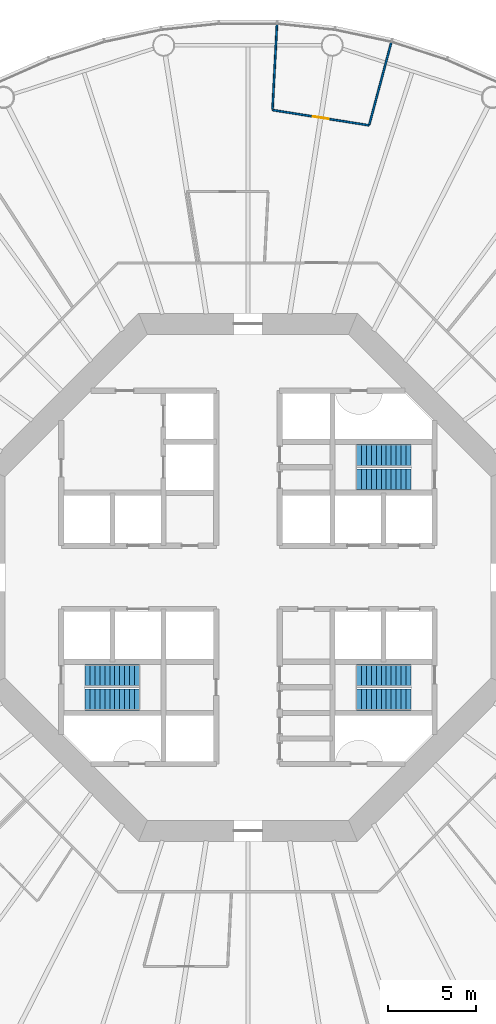
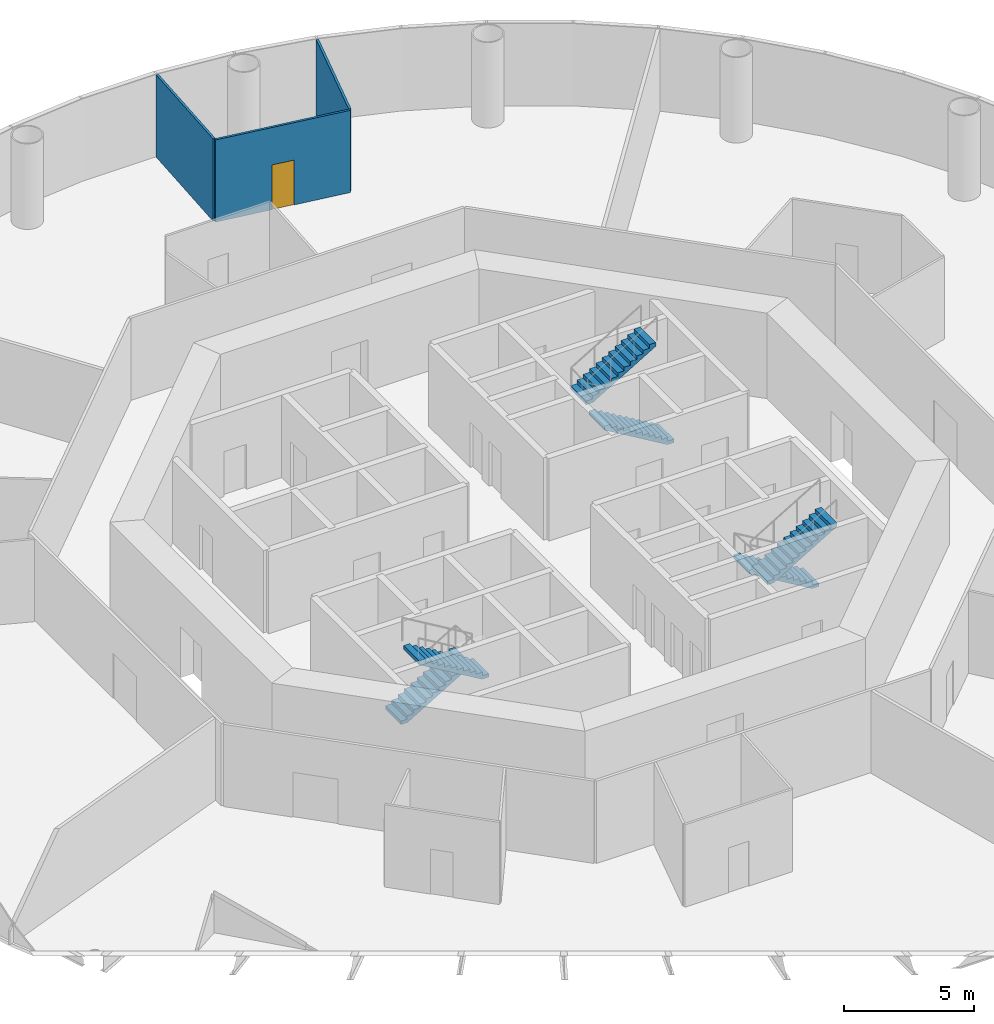
# One storey, part 6 of 13: 6 stair flights, 3 walls, 1 door, 1 opening, 3 elements without a shape of their own.
"""IFC4 building model written with IfcOpenShell, lengths in metres."""

from ifc_helpers import new_model, si_unit, direction, frame, frame_2d, origin, place, context, subcontext, project, spatial, polyline, rectangle, outline, extrude, material, layer, layer_set, type_object, element, fill, aggregate, save


model = new_model("IFC4")

# Units and contexts
model_context = context("Model", 3, precision=1e-05, world=origin(), true_north=direction((0.0, 1.0)))
body_context = subcontext(model_context, "Body", "Model", "MODEL_VIEW")
ifc_project = project(units=[si_unit("LENGTHUNIT", "METRE"), si_unit("AREAUNIT", "SQUARE_METRE"), si_unit("VOLUMEUNIT", "CUBIC_METRE"), si_unit("PLANEANGLEUNIT", "RADIAN"), si_unit("MASSUNIT", "GRAM", prefix="KILO")], contexts=[model_context])

# Site, building, storey
site_placement = place(None, origin())
site = spatial("IfcSite", under=ifc_project, at=site_placement, CompositionType="ELEMENT")
building_placement = place(site_placement, origin())
building = spatial("IfcBuilding", under=site, at=building_placement, Name="Entoto Ring Tower", CompositionType="ELEMENT")
storey_placement = place(building_placement, frame((0.0, 0.0, 120.0)))
storey = spatial("IfcBuildingStorey", under=building, at=storey_placement, Name="L27", CompositionType="ELEMENT", Elevation=120.0)

# Wall, opening, door
ifc_material_1 = material(Name="Plasterboard on steel studs", Category="steel")
ifc_layer = layer(ifc_material_1, 0.10009765625)
ifc_layer_set = layer_set([ifc_layer], Name="Plasterboard on steel studs")
wall_type = type_object("IfcWallType", Name="Partition 100 mm plasterboard on steel studs", PredefinedType="PARTITIONING", material=ifc_layer_set)
wall_1_placement = place(storey_placement, frame((96.87939453125, 105.67431640625, 0.0), z_axis=(0.0, 0.0, 1.0), x_axis=(-0.987684825381, 0.156456657615, 0.0)))
wall_1 = element("IfcWall", 1, at=wall_1_placement, inside=storey, type_object=wall_type, Name="partition-L27-017", PredefinedType="PARTITIONING", context=body_context, shape_type="SweptSolid", body=[
    extrude(rectangle(XDim=5.556640625, YDim=0.10009765625, at=frame_2d((2.7783203125, 0.0))), origin(), (0.0, 0.0, 1.0), 3.85009765625),
])
opening_placement = place(wall_1_placement, frame((2.328369140625, 0.0, 0.0)))
opening = element("IfcOpeningElement", 2, at=opening_placement, cuts=wall_1, Name="Opening A11-D06", PredefinedType="OPENING", context=body_context, shape_type="SweptSolid", body=[
    extrude(rectangle(XDim=0.89990234375, YDim=2.10009765625, at=frame_2d((0.449951171875, 1.050048828125))), frame((0.0, 0.06005859375, 0.0), z_axis=(0.0, -1.0, 0.0), x_axis=(1.0, 0.0, 0.0)), (0.0, 0.0, 1.0), 0.1201171875),
])
ifc_material_2 = material(Name="Veneered timber door leaf in timber frame", Category="wood")
door_type = type_object("IfcDoorType", Name="Door 900 x 2100 single leaf timber veneer", OperationType="NOTDEFINED", PredefinedType="DOOR", material=ifc_material_2)
door_placement = place(opening_placement, frame((0.89990234375, 0.0, 0.0), z_axis=(0.0, 0.0, 1.0), x_axis=(-1.0, 0.0, 0.0)))
door = element("IfcDoor", 3, at=door_placement, inside=storey, type_object=door_type, Name="Door A11-D06", OperationType="SINGLE_SWING_LEFT", OverallHeight=2.10009765625, OverallWidth=0.89990234375, PredefinedType="DOOR", context=body_context, shape_type="SweptSolid", body=[
    extrude(rectangle(XDim=0.89990234375, YDim=2.10009765625, at=frame_2d((0.449951171875, 1.050048828125))), frame((0.0, 0.02490234375, 0.0), z_axis=(0.0, -1.0, 0.0), x_axis=(1.0, 0.0, 0.0)), (0.0, 0.0, 1.0), 0.050048828125),
])
fill(opening, door)

# Walls
wall_2_placement = place(storey_placement, frame((96.892333984375, 105.722412109375, 0.0), z_axis=(0.0, 0.0, 1.0), x_axis=(0.258802892951, 0.9659301541, 0.0)))
element("IfcWall", 4, at=wall_2_placement, inside=storey, type_object=wall_type, Name="partition-L27-018", PredefinedType="PARTITIONING", context=body_context, shape_type="SweptSolid", body=[
    extrude(rectangle(XDim=4.81005859375, YDim=0.10009765625, at=frame_2d((2.405029296875, 0.0))), origin(), (0.0, 0.0, 1.0), 3.85009765625),
])
wall_3_placement = place(storey_placement, frame((91.393798828125, 106.59326171875, 0.0), z_axis=(0.0, 0.0, 1.0), x_axis=(0.052327075125, 0.998630000155, 0.0)))
element("IfcWall", 5, at=wall_3_placement, inside=storey, type_object=wall_type, Name="partition-L27-019", PredefinedType="PARTITIONING", context=body_context, shape_type="SweptSolid", body=[
    extrude(rectangle(XDim=4.810302734375, YDim=0.10009765625, at=frame_2d((2.4052734375, 0.0))), origin(), (0.0, 0.0, 1.0), 3.85009765625),
])

# Stair, stair flights
ifc_material_3 = material(Name="Concrete C40/50", Category="concrete")
stair_type = type_object("IfcStairType", Name="Exit stair 1200 mm dog-leg reinforced concrete", PredefinedType="HALF_TURN_STAIR", material=ifc_material_3)
stair_1_placement = place(storey_placement, origin())
stair_1 = element("IfcStair", 6, at=stair_1_placement, inside=storey, type_object=stair_type, Name="Exit stair 1", PredefinedType="HALF_TURN_STAIR")
ifc_material_4 = material(Name="Concrete C40/50", Category="concrete")
stair_flight_type = type_object("IfcStairFlightType", Name="Stair flight 1200 mm reinforced concrete", PredefinedType="STRAIGHT", material=ifc_material_4)
stair_flight_1_placement = place(storey_placement, frame((99.25, 85.550048828125, 0.0), z_axis=(0.0, 0.0, 1.0), x_axis=(-1.0, 0.0, 0.0)))
stair_flight_1 = element("IfcStairFlight", 7, at=stair_flight_1_placement, type_object=stair_flight_type, Name="ST1 flight 1", NumberOfRisers=12, NumberOfTreads=11, PredefinedType="STRAIGHT", RiserHeight=0.166666667, TreadLength=0.28, context=body_context, shape_type="SweptSolid", body=[
    extrude(outline(polyline([(0.0, 0.0), (0.0, 0.166748046875), (0.280029296875, 0.166748046875), (0.280029296875, 0.333251953125), (0.56005859375, 0.333251953125), (0.56005859375, 0.5), (0.840087890625, 0.5), (0.840087890625, 0.666748046875), (1.1201171875, 0.666748046875), (1.1201171875, 0.833251953125), (1.39990234375, 0.833251953125), (1.39990234375, 1.0), (1.679931640625, 1.0), (1.679931640625, 1.166748046875), (1.9599609375, 1.166748046875), (1.9599609375, 1.333251953125), (2.239990234375, 1.333251953125), (2.239990234375, 1.5), (2.52001953125, 1.5), (2.52001953125, 1.666748046875), (2.800048828125, 1.666748046875), (2.800048828125, 1.833251953125), (3.080078125, 1.833251953125), (3.080078125, 2.0), (3.080078125, 1.658935546875), (0.29296875, 0.0), (0.0, 0.0)])), frame((0.0, 0.60009765625, 0.0), z_axis=(0.0, -1.0, 0.0), x_axis=(1.0, 0.0, 0.0)), (0.0, 0.0, 1.0), 1.199951171875),
])
stair_flight_2_placement = place(storey_placement, frame((96.169921875, 86.949951171875, 2.0), z_axis=(0.0, 0.0, 1.0), x_axis=(1.0, 0.0, 0.0)))
stair_flight_2 = element("IfcStairFlight", 8, at=stair_flight_2_placement, type_object=stair_flight_type, Name="ST1 flight 2", NumberOfRisers=12, NumberOfTreads=11, PredefinedType="STRAIGHT", RiserHeight=0.166666667, TreadLength=0.28, context=body_context, shape_type="SweptSolid", body=[
    extrude(outline(polyline([(0.0, 0.0), (0.0, 0.166748046875), (0.280029296875, 0.166748046875), (0.280029296875, 0.333251953125), (0.56005859375, 0.333251953125), (0.56005859375, 0.5), (0.840087890625, 0.5), (0.840087890625, 0.666748046875), (1.1201171875, 0.666748046875), (1.1201171875, 0.833251953125), (1.39990234375, 0.833251953125), (1.39990234375, 1.0), (1.679931640625, 1.0), (1.679931640625, 1.166748046875), (1.9599609375, 1.166748046875), (1.9599609375, 1.333251953125), (2.239990234375, 1.333251953125), (2.239990234375, 1.5), (2.52001953125, 1.5), (2.52001953125, 1.666748046875), (2.800048828125, 1.666748046875), (2.800048828125, 1.833251953125), (3.080078125, 1.833251953125), (3.080078125, 2.0), (3.080078125, 1.658935546875), (0.29296875, 0.0), (0.0, 0.0)])), frame((0.0, 0.60009765625, 0.0), z_axis=(0.0, -1.0, 0.0), x_axis=(1.0, 0.0, 0.0)), (0.0, 0.0, 1.0), 1.199951171875),
])
aggregate(stair_1, [stair_flight_1, stair_flight_2])

stair_2_placement = place(storey_placement, origin())
stair_2 = element("IfcStair", 9, at=stair_2_placement, inside=storey, type_object=stair_type, Name="Exit stair 2", PredefinedType="HALF_TURN_STAIR")
stair_flight_3_placement = place(storey_placement, frame((80.75, 74.449951171875, 0.0), z_axis=(0.0, 0.0, 1.0), x_axis=(1.0, 0.0, 0.0)))
stair_flight_3 = element("IfcStairFlight", 10, at=stair_flight_3_placement, type_object=stair_flight_type, Name="ST2 flight 1", NumberOfRisers=12, NumberOfTreads=11, PredefinedType="STRAIGHT", RiserHeight=0.166666667, TreadLength=0.28, context=body_context, shape_type="SweptSolid", body=[
    extrude(outline(polyline([(0.0, 0.0), (0.0, 0.166748046875), (0.280029296875, 0.166748046875), (0.280029296875, 0.333251953125), (0.56005859375, 0.333251953125), (0.56005859375, 0.5), (0.840087890625, 0.5), (0.840087890625, 0.666748046875), (1.1201171875, 0.666748046875), (1.1201171875, 0.833251953125), (1.39990234375, 0.833251953125), (1.39990234375, 1.0), (1.679931640625, 1.0), (1.679931640625, 1.166748046875), (1.9599609375, 1.166748046875), (1.9599609375, 1.333251953125), (2.239990234375, 1.333251953125), (2.239990234375, 1.5), (2.52001953125, 1.5), (2.52001953125, 1.666748046875), (2.800048828125, 1.666748046875), (2.800048828125, 1.833251953125), (3.080078125, 1.833251953125), (3.080078125, 2.0), (3.080078125, 1.658935546875), (0.29296875, 0.0), (0.0, 0.0)])), frame((0.0, 0.60009765625, 0.0), z_axis=(0.0, -1.0, 0.0), x_axis=(1.0, 0.0, 0.0)), (0.0, 0.0, 1.0), 1.199951171875),
])
stair_flight_4_placement = place(storey_placement, frame((83.830078125, 73.050048828125, 2.0), z_axis=(0.0, 0.0, 1.0), x_axis=(-1.0, 0.0, 0.0)))
stair_flight_4 = element("IfcStairFlight", 11, at=stair_flight_4_placement, type_object=stair_flight_type, Name="ST2 flight 2", NumberOfRisers=12, NumberOfTreads=11, PredefinedType="STRAIGHT", RiserHeight=0.166666667, TreadLength=0.28, context=body_context, shape_type="SweptSolid", body=[
    extrude(outline(polyline([(0.0, 0.0), (0.0, 0.166748046875), (0.280029296875, 0.166748046875), (0.280029296875, 0.333251953125), (0.56005859375, 0.333251953125), (0.56005859375, 0.5), (0.840087890625, 0.5), (0.840087890625, 0.666748046875), (1.1201171875, 0.666748046875), (1.1201171875, 0.833251953125), (1.39990234375, 0.833251953125), (1.39990234375, 1.0), (1.679931640625, 1.0), (1.679931640625, 1.166748046875), (1.9599609375, 1.166748046875), (1.9599609375, 1.333251953125), (2.239990234375, 1.333251953125), (2.239990234375, 1.5), (2.52001953125, 1.5), (2.52001953125, 1.666748046875), (2.800048828125, 1.666748046875), (2.800048828125, 1.833251953125), (3.080078125, 1.833251953125), (3.080078125, 2.0), (3.080078125, 1.658935546875), (0.29296875, 0.0), (0.0, 0.0)])), frame((0.0, 0.60009765625, 0.0), z_axis=(0.0, -1.0, 0.0), x_axis=(1.0, 0.0, 0.0)), (0.0, 0.0, 1.0), 1.199951171875),
])
aggregate(stair_2, [stair_flight_3, stair_flight_4])

stair_3_placement = place(storey_placement, origin())
stair_3 = element("IfcStair", 12, at=stair_3_placement, inside=storey, type_object=stair_type, Name="Exit stair 3", PredefinedType="HALF_TURN_STAIR")
stair_flight_5_placement = place(storey_placement, frame((99.25, 74.449951171875, 0.0), z_axis=(0.0, 0.0, 1.0), x_axis=(-1.0, 0.0, 0.0)))
stair_flight_5 = element("IfcStairFlight", 13, at=stair_flight_5_placement, type_object=stair_flight_type, Name="ST3 flight 1", NumberOfRisers=12, NumberOfTreads=11, PredefinedType="STRAIGHT", RiserHeight=0.166666667, TreadLength=0.28, context=body_context, shape_type="SweptSolid", body=[
    extrude(outline(polyline([(0.0, 0.0), (0.0, 0.166748046875), (0.280029296875, 0.166748046875), (0.280029296875, 0.333251953125), (0.56005859375, 0.333251953125), (0.56005859375, 0.5), (0.840087890625, 0.5), (0.840087890625, 0.666748046875), (1.1201171875, 0.666748046875), (1.1201171875, 0.833251953125), (1.39990234375, 0.833251953125), (1.39990234375, 1.0), (1.679931640625, 1.0), (1.679931640625, 1.166748046875), (1.9599609375, 1.166748046875), (1.9599609375, 1.333251953125), (2.239990234375, 1.333251953125), (2.239990234375, 1.5), (2.52001953125, 1.5), (2.52001953125, 1.666748046875), (2.800048828125, 1.666748046875), (2.800048828125, 1.833251953125), (3.080078125, 1.833251953125), (3.080078125, 2.0), (3.080078125, 1.658935546875), (0.29296875, 0.0), (0.0, 0.0)])), frame((0.0, 0.60009765625, 0.0), z_axis=(0.0, -1.0, 0.0), x_axis=(1.0, 0.0, 0.0)), (0.0, 0.0, 1.0), 1.199951171875),
])
stair_flight_6_placement = place(storey_placement, frame((96.169921875, 73.050048828125, 2.0), z_axis=(0.0, 0.0, 1.0), x_axis=(1.0, 0.0, 0.0)))
stair_flight_6 = element("IfcStairFlight", 14, at=stair_flight_6_placement, type_object=stair_flight_type, Name="ST3 flight 2", NumberOfRisers=12, NumberOfTreads=11, PredefinedType="STRAIGHT", RiserHeight=0.166666667, TreadLength=0.28, context=body_context, shape_type="SweptSolid", body=[
    extrude(outline(polyline([(0.0, 0.0), (0.0, 0.166748046875), (0.280029296875, 0.166748046875), (0.280029296875, 0.333251953125), (0.56005859375, 0.333251953125), (0.56005859375, 0.5), (0.840087890625, 0.5), (0.840087890625, 0.666748046875), (1.1201171875, 0.666748046875), (1.1201171875, 0.833251953125), (1.39990234375, 0.833251953125), (1.39990234375, 1.0), (1.679931640625, 1.0), (1.679931640625, 1.166748046875), (1.9599609375, 1.166748046875), (1.9599609375, 1.333251953125), (2.239990234375, 1.333251953125), (2.239990234375, 1.5), (2.52001953125, 1.5), (2.52001953125, 1.666748046875), (2.800048828125, 1.666748046875), (2.800048828125, 1.833251953125), (3.080078125, 1.833251953125), (3.080078125, 2.0), (3.080078125, 1.658935546875), (0.29296875, 0.0), (0.0, 0.0)])), frame((0.0, 0.60009765625, 0.0), z_axis=(0.0, -1.0, 0.0), x_axis=(1.0, 0.0, 0.0)), (0.0, 0.0, 1.0), 1.199951171875),
])
aggregate(stair_3, [stair_flight_5, stair_flight_6])

save(model, "model.ifc")
